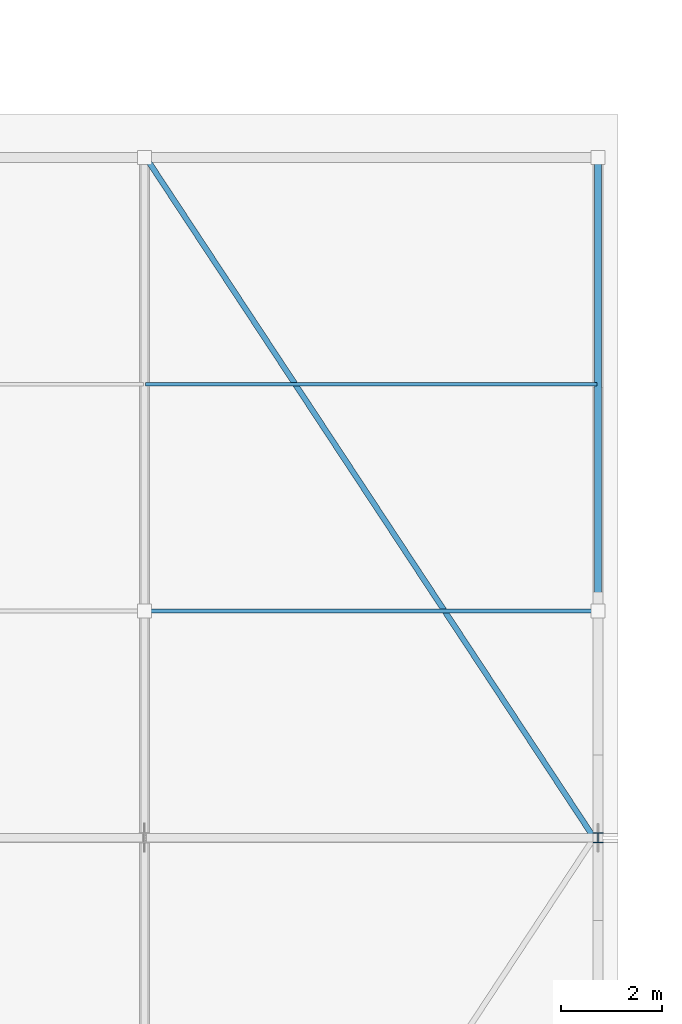
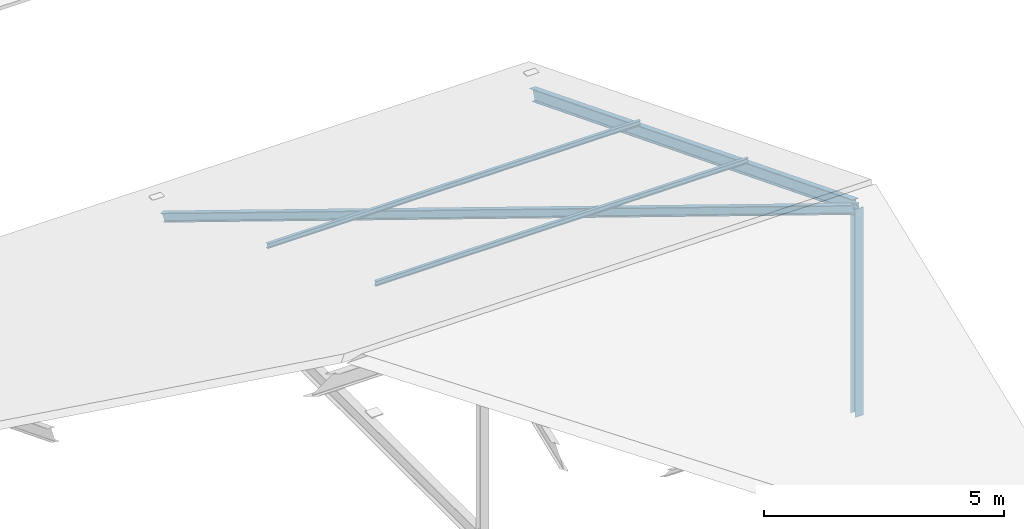
# One storey, part 78 of 132: 5 members.
"""IFC4 building model written with IfcOpenShell, lengths in metres."""

from ifc_helpers import new_model, si_unit, direction, frame, origin, origin_2d, place, context, subcontext, project, spatial, i_section, extrude, material, material_profile, profile_set, type_object, element, save


model = new_model("IFC4")

# Units and contexts
model_context = context("Model", 3, precision=1e-05, world=origin(), true_north=direction((0.0, 1.0)))
body_context = subcontext(model_context, "Body", "Model", "MODEL_VIEW")
ifc_project = project(units=[si_unit("LENGTHUNIT", "METRE"), si_unit("AREAUNIT", "SQUARE_METRE"), si_unit("VOLUMEUNIT", "CUBIC_METRE"), si_unit("PLANEANGLEUNIT", "RADIAN"), si_unit("MASSUNIT", "GRAM", prefix="KILO")], contexts=[model_context])

# Site, building, storey
site_placement = place(None, origin())
site = spatial("IfcSite", under=ifc_project, at=site_placement, CompositionType="ELEMENT")
building_placement = place(site_placement, origin())
building = spatial("IfcBuilding", under=site, at=building_placement, Name="Tharagai Park Tramway Depot", CompositionType="ELEMENT")
storey_placement = place(building_placement, frame((0.0, 0.0, 4.800048828125)))
storey = spatial("IfcBuildingStorey", under=building, at=storey_placement, Name="L01", CompositionType="ELEMENT", Elevation=4.800048828125)

# Members
ifc_material_1 = material(Name="Steel E350", Category="steel")
ifc_material_profile_1 = material_profile(ifc_material_1, i_section(OverallWidth=0.110107421875, OverallDepth=0.22509765625, WebThickness=0.006591796875, FlangeThickness=0.01171875, FilletRadius=0.011962890625, at=origin_2d()), Name="ISMB 225")
ifc_profile_set_1 = profile_set([ifc_material_profile_1], Name="Steel E350")
member_type_1 = type_object("IfcMemberType", Name="BR-04", PredefinedType="BRACE", material=ifc_profile_set_1)
member_1_placement = place(storey_placement, frame((207.080078125, 80.919921875, -0.449951171875), z_axis=(0.522990191208, -0.793960584134, 0.310012662227), x_axis=(0.83510413753, 0.550091882762, 0.0)))
element("IfcMember", 1, at=member_1_placement, inside=storey, type_object=member_type_1, Name="V6 Roof Wind Brace BR-04", PredefinedType="BRACE", context=body_context, shape_type="SweptSolid", body=[
    extrude(i_section(OverallWidth=0.110107421875, OverallDepth=0.22509765625, WebThickness=0.006591796875, FlangeThickness=0.01171875, FilletRadius=0.011962890625, at=origin_2d()), origin(), (0.0, 0.0, 1.0), 16.902587890625),
])
ifc_material_profile_2 = material_profile(ifc_material_1, i_section(OverallWidth=0.199951171875, OverallDepth=0.199951171875, WebThickness=0.0078125, FlangeThickness=0.009033203125, FilletRadius=0.009033203125, at=origin_2d()), Name="ISHB 200")
ifc_profile_set_2 = profile_set([ifc_material_profile_2], Name="Steel E350")
member_type_2 = type_object("IfcMemberType", Name="BR-10", PredefinedType="BRACE", material=ifc_profile_set_2)
member_2_placement = place(storey_placement, frame((216.0, 67.5, -0.449951171875), z_axis=(0.0, 0.0, 1.0), x_axis=(1.0, 0.0, 0.0)))
element("IfcMember", 2, at=member_2_placement, inside=storey, type_object=member_type_2, Name="V6 Gable King Strut BR-10", PredefinedType="BRACE", context=body_context, shape_type="SweptSolid", body=[
    extrude(i_section(OverallWidth=0.199951171875, OverallDepth=0.199951171875, WebThickness=0.0078125, FlangeThickness=0.009033203125, FilletRadius=0.009033203125, at=origin_2d()), origin(), (0.0, 0.0, 1.0), 5.2900390625),
])
ifc_material_2 = material(Name="Steel E250", Category="steel")
ifc_material_profile_3 = material_profile(ifc_material_2, i_section(OverallWidth=0.070068359375, OverallDepth=0.125, WebThickness=0.00439453125, FlangeThickness=0.007080078125, FilletRadius=0.008056640625, at=origin_2d()), Name="ISMB 125")
ifc_profile_set_3 = profile_set([ifc_material_profile_3], Name="Steel E250")
member_type_3 = type_object("IfcMemberType", Name="PR-06", PredefinedType="PURLIN", material=ifc_profile_set_3)
for number, where, z_axis, x_axis, name in (
    (3, (207.02001953125, 76.5, 1.512451171875), (1.0, 0.0, 0.0), (0.0, 1.0, 0.0), "V6 Roof Purlin PR-06"),
    (4, (207.02001953125, 72.0, 3.284912109375), (1.0, 0.0, 0.0), (0.0, 1.0, 0.0), "V6 Roof Purlin PR-06"),
):
    element("IfcMember", number, at=place(storey_placement, frame(where, z_axis=z_axis, x_axis=x_axis)), inside=storey, type_object=member_type_3, Name=name, PredefinedType="PURLIN", context=body_context, shape_type="SweptSolid", body=[
        extrude(i_section(OverallWidth=0.070068359375, OverallDepth=0.125, WebThickness=0.00439453125, FlangeThickness=0.007080078125, FilletRadius=0.008056640625, at=origin_2d()), origin(), (0.0, 0.0, 1.0), 8.9599609375),
    ])
ifc_material_profile_4 = material_profile(ifc_material_1, i_section(OverallWidth=0.139892578125, OverallDepth=0.300048828125, WebThickness=0.0078125, FlangeThickness=0.01318359375, FilletRadius=0.013916015625, at=origin_2d()), Name="ISMB 300")
ifc_profile_set_4 = profile_set([ifc_material_profile_4], Name="Steel E350")
member_type_4 = type_object("IfcMemberType", Name="RF-02", PredefinedType="RAFTER", material=ifc_profile_set_4)
member_3_placement = place(storey_placement, frame((216.0, 67.5, 4.840087890625), z_axis=(0.0, 0.929950116334, -0.367685709717), x_axis=(-1.0, 0.0, 0.0)))
element("IfcMember", 5, at=member_3_placement, inside=storey, type_object=member_type_4, Name="V6 Pitched Rafter RF-02 North", PredefinedType="RAFTER", context=body_context, shape_type="SweptSolid", body=[
    extrude(i_section(OverallWidth=0.139892578125, OverallDepth=0.300048828125, WebThickness=0.0078125, FlangeThickness=0.01318359375, FilletRadius=0.013916015625, at=origin_2d()), origin(), (0.0, 0.0, 1.0), 14.463134765625),
])

save(model, "model.ifc")
